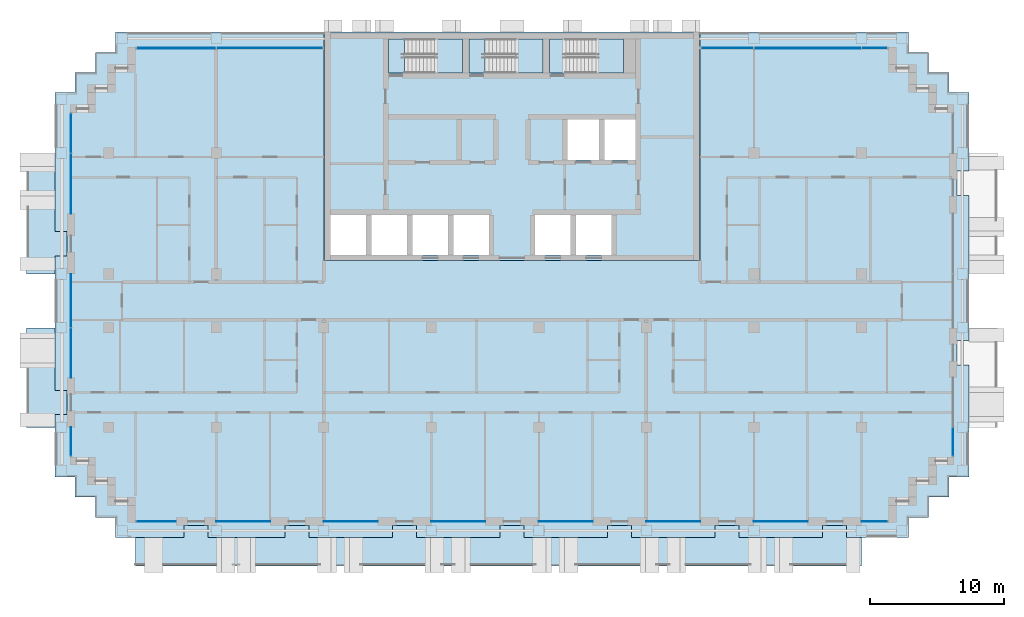
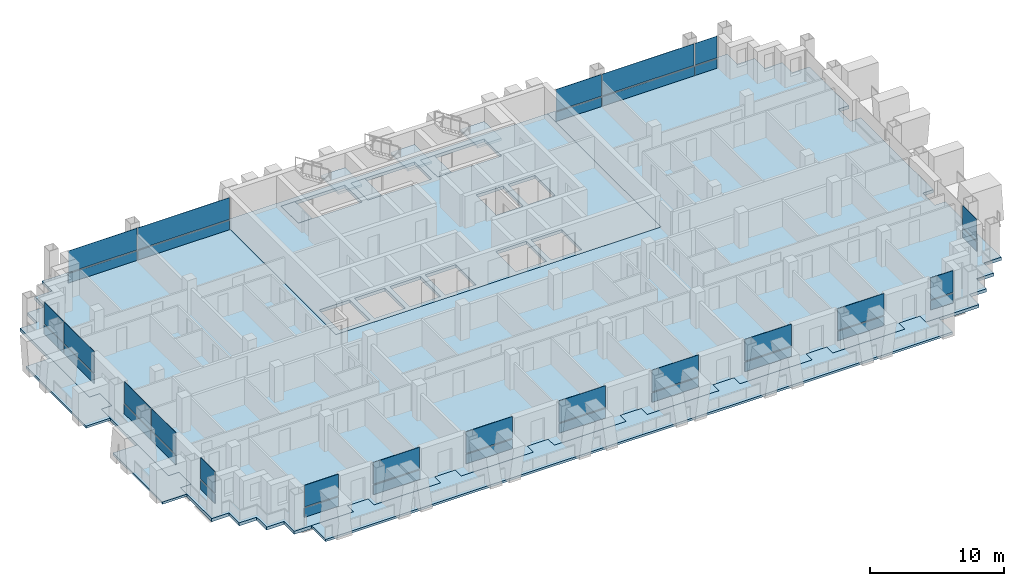
# One storey, part 6 of 18: 38 plates, 11 slabs, 17 elements without a shape of their own.
"""IFC4 building model written with IfcOpenShell, lengths in metres."""

from ifc_helpers import new_model, si_unit, direction, frame, origin, origin_2d, place, context, subcontext, project, spatial, polyline, rectangle, outline, extrude, material, layer, layer_set, type_object, element, aggregate, save


model = new_model("IFC4")

# Units and contexts
model_context = context("Model", 3, precision=1e-05, world=origin(), true_north=direction((0.0, 1.0)))
body_context = subcontext(model_context, "Body", "Model", "MODEL_VIEW")
ifc_project = project(units=[si_unit("LENGTHUNIT", "METRE"), si_unit("AREAUNIT", "SQUARE_METRE"), si_unit("VOLUMEUNIT", "CUBIC_METRE"), si_unit("PLANEANGLEUNIT", "RADIAN"), si_unit("MASSUNIT", "GRAM", prefix="KILO")], contexts=[model_context])

# Site, building, storey
site_placement = place(None, origin())
site = spatial("IfcSite", under=ifc_project, at=site_placement, CompositionType="ELEMENT")
building_placement = place(site_placement, origin())
building = spatial("IfcBuilding", under=site, at=building_placement, Name="Vidyagriha Tower", CompositionType="ELEMENT")
storey_placement = place(building_placement, frame((0.0, 0.0, 142.199951171875)))
storey = spatial("IfcBuildingStorey", under=building, at=storey_placement, Name="L37", CompositionType="ELEMENT", Elevation=142.199951171875)

# Curtain wall, plates
ifc_material_1 = material(Name="Aluminium and glass curtain wall", Category="aluminium")
curtain_wall_type = type_object("IfcCurtainWallType", Name="Dwelling skin unitised curtain wall", PredefinedType="USERDEFINED", material=ifc_material_1)
curtain_wall_1_placement = place(storey_placement, origin())
curtain_wall_1 = element("IfcCurtainWall", 1, at=curtain_wall_1_placement, inside=storey, type_object=curtain_wall_type, Name="CW1 dwelling skin", ObjectType="UNITISED", PredefinedType="USERDEFINED")
ifc_material_2 = material(Name="Glass dark ceramic-fritted spandrel", Category="glass")
ifc_layer_1 = layer(ifc_material_2, 0.0400390625)
ifc_layer_set_1 = layer_set([ifc_layer_1], Name="Glass dark ceramic-fritted spandrel")
plate_type_1 = type_object("IfcPlateType", Name="Ceramic-fritted spandrel panel", PredefinedType="CURTAIN_PANEL", material=ifc_layer_set_1)
plate_1_placement = place(storey_placement, frame((26.982421875, 18.800048828125, 0.0), z_axis=(0.0, 0.0, 1.0), x_axis=(-1.0, 0.0, 0.0)))
plate_1 = element("IfcPlate", 2, at=plate_1_placement, type_object=plate_type_1, Name="CW1 panel 1.1", PredefinedType="CURTAIN_PANEL", context=body_context, shape_type="SweptSolid", body=[
    extrude(rectangle(XDim=1.89501953125, YDim=0.0400390625, at=origin_2d()), origin(), (0.0, 0.0, 1.0), 0.85009765625),
])
plate_2_placement = place(storey_placement, frame((16.017578125, 18.800048828125, 0.0), z_axis=(0.0, 0.0, 1.0), x_axis=(-1.0, 0.0, 0.0)))
plate_2 = element("IfcPlate", 3, at=plate_2_placement, type_object=plate_type_1, Name="CW1 panel 3.1", PredefinedType="CURTAIN_PANEL", context=body_context, shape_type="SweptSolid", body=[
    extrude(rectangle(XDim=3.89501953125, YDim=0.0400390625, at=origin_2d()), origin(), (0.0, 0.0, 1.0), 0.85009765625),
])

# Curtain wall, plate
curtain_wall_2_placement = place(storey_placement, origin())
curtain_wall_2 = element("IfcCurtainWall", 4, at=curtain_wall_2_placement, inside=storey, type_object=curtain_wall_type, Name="CW1 dwelling skin", ObjectType="UNITISED", PredefinedType="USERDEFINED")
plate_3_placement = place(storey_placement, frame((-18.017578125, 18.800048828125, 0.0), z_axis=(0.0, 0.0, 1.0), x_axis=(-1.0, 0.0, 0.0)))
plate_3 = element("IfcPlate", 5, at=plate_3_placement, type_object=plate_type_1, Name="CW1 panel 1.1", PredefinedType="CURTAIN_PANEL", context=body_context, shape_type="SweptSolid", body=[
    extrude(rectangle(XDim=7.89501953125, YDim=0.0400390625, at=origin_2d()), origin(), (0.0, 0.0, 1.0), 0.85009765625),
])

# Curtain wall, plates
curtain_wall_3_placement = place(storey_placement, origin())
curtain_wall_3 = element("IfcCurtainWall", 6, at=curtain_wall_3_placement, inside=storey, type_object=curtain_wall_type, Name="CW1 dwelling skin", ObjectType="UNITISED", PredefinedType="USERDEFINED")
plate_4_placement = place(storey_placement, frame((-32.800048828125, 12.482421875, 0.0), z_axis=(0.0, 0.0, 1.0), x_axis=(0.0, -1.0, 0.0)))
plate_4 = element("IfcPlate", 7, at=plate_4_placement, type_object=plate_type_1, Name="CW1 panel 1.1", PredefinedType="CURTAIN_PANEL", context=body_context, shape_type="SweptSolid", body=[
    extrude(rectangle(XDim=2.89501953125, YDim=0.0400390625, at=origin_2d()), origin(), (0.0, 0.0, 1.0), 0.85009765625),
])
plate_5_placement = place(storey_placement, frame((-32.800048828125, 8.732421875, 0.0), z_axis=(0.0, 0.0, 1.0), x_axis=(0.0, -1.0, 0.0)))
plate_5 = element("IfcPlate", 8, at=plate_5_placement, type_object=plate_type_1, Name="CW1 panel 2.1", PredefinedType="CURTAIN_PANEL", context=body_context, shape_type="SweptSolid", body=[
    extrude(rectangle(XDim=4.465087890625, YDim=0.0400390625, at=origin_2d()), origin(), (0.0, 0.0, 1.0), 0.85009765625),
])

# Curtain wall, plate
curtain_wall_4_placement = place(storey_placement, origin())
curtain_wall_4 = element("IfcCurtainWall", 9, at=curtain_wall_4_placement, inside=storey, type_object=curtain_wall_type, Name="CW1 dwelling skin", ObjectType="UNITISED", PredefinedType="USERDEFINED")
plate_6_placement = place(storey_placement, frame((-32.800048828125, -10.465087890625, 0.0), z_axis=(0.0, 0.0, 1.0), x_axis=(0.0, -1.0, 0.0)))
plate_6 = element("IfcPlate", 10, at=plate_6_placement, type_object=plate_type_1, Name="CW1 panel 1.1", PredefinedType="CURTAIN_PANEL", context=body_context, shape_type="SweptSolid", body=[
    extrude(rectangle(XDim=2.1298828125, YDim=0.0400390625, at=origin_2d()), origin(), (0.0, 0.0, 1.0), 0.85009765625),
])

curtain_wall_5_placement = place(storey_placement, origin())
curtain_wall_5 = element("IfcCurtainWall", 11, at=curtain_wall_5_placement, inside=storey, type_object=curtain_wall_type, Name="CW1 dwelling skin", ObjectType="UNITISED", PredefinedType="USERDEFINED")
plate_7_placement = place(storey_placement, frame((-26.465087890625, -16.39990234375, 0.0)))
plate_7 = element("IfcPlate", 12, at=plate_7_placement, type_object=plate_type_1, Name="CW1 panel 1.1", PredefinedType="CURTAIN_PANEL", context=body_context, shape_type="SweptSolid", body=[
    extrude(rectangle(XDim=2.929931640625, YDim=0.0400390625, at=origin_2d()), origin(), (0.0, 0.0, 1.0), 0.85009765625),
])

curtain_wall_6_placement = place(storey_placement, origin())
curtain_wall_6 = element("IfcCurtainWall", 13, at=curtain_wall_6_placement, inside=storey, type_object=curtain_wall_type, Name="CW1 dwelling skin", ObjectType="UNITISED", PredefinedType="USERDEFINED")
plate_8_placement = place(storey_placement, frame((-12.0, -16.39990234375, 0.0)))
plate_8 = element("IfcPlate", 14, at=plate_8_placement, type_object=plate_type_1, Name="CW1 panel 1.1", PredefinedType="CURTAIN_PANEL", context=body_context, shape_type="SweptSolid", body=[
    extrude(rectangle(XDim=4.0, YDim=0.0400390625, at=origin_2d()), origin(), (0.0, 0.0, 1.0), 0.85009765625),
])

curtain_wall_7_placement = place(storey_placement, origin())
curtain_wall_7 = element("IfcCurtainWall", 15, at=curtain_wall_7_placement, inside=storey, type_object=curtain_wall_type, Name="CW1 dwelling skin", ObjectType="UNITISED", PredefinedType="USERDEFINED")
plate_9_placement = place(storey_placement, frame((4.0, -16.39990234375, 0.0)))
plate_9 = element("IfcPlate", 16, at=plate_9_placement, type_object=plate_type_1, Name="CW1 panel 1.1", PredefinedType="CURTAIN_PANEL", context=body_context, shape_type="SweptSolid", body=[
    extrude(rectangle(XDim=4.0, YDim=0.0400390625, at=origin_2d()), origin(), (0.0, 0.0, 1.0), 0.85009765625),
])

curtain_wall_8_placement = place(storey_placement, origin())
curtain_wall_8 = element("IfcCurtainWall", 17, at=curtain_wall_8_placement, inside=storey, type_object=curtain_wall_type, Name="CW1 dwelling skin", ObjectType="UNITISED", PredefinedType="USERDEFINED")
plate_10_placement = place(storey_placement, frame((20.0, -16.39990234375, 0.0)))
plate_10 = element("IfcPlate", 18, at=plate_10_placement, type_object=plate_type_1, Name="CW1 panel 1.1", PredefinedType="CURTAIN_PANEL", context=body_context, shape_type="SweptSolid", body=[
    extrude(rectangle(XDim=4.0, YDim=0.0400390625, at=origin_2d()), origin(), (0.0, 0.0, 1.0), 0.85009765625),
])

curtain_wall_9_placement = place(storey_placement, origin())
curtain_wall_9 = element("IfcCurtainWall", 19, at=curtain_wall_9_placement, inside=storey, type_object=curtain_wall_type, Name="CW1 dwelling skin", ObjectType="UNITISED", PredefinedType="USERDEFINED")
plate_11_placement = place(storey_placement, frame((26.965087890625, -16.39990234375, 0.0)))
plate_11 = element("IfcPlate", 20, at=plate_11_placement, type_object=plate_type_1, Name="CW1 panel 1.1", PredefinedType="CURTAIN_PANEL", context=body_context, shape_type="SweptSolid", body=[
    extrude(rectangle(XDim=1.929931640625, YDim=0.0400390625, at=origin_2d()), origin(), (0.0, 0.0, 1.0), 0.85009765625),
])

curtain_wall_10_placement = place(storey_placement, origin())
curtain_wall_10 = element("IfcCurtainWall", 21, at=curtain_wall_10_placement, inside=storey, type_object=curtain_wall_type, Name="CW1 dwelling skin", ObjectType="UNITISED", PredefinedType="USERDEFINED")
plate_12_placement = place(storey_placement, frame((32.800048828125, -10.482421875, 0.0), z_axis=(0.0, 0.0, 1.0), x_axis=(0.0, 1.0, 0.0)))
plate_12 = element("IfcPlate", 22, at=plate_12_placement, type_object=plate_type_1, Name="CW1 panel 1.1", PredefinedType="CURTAIN_PANEL", context=body_context, shape_type="SweptSolid", body=[
    extrude(rectangle(XDim=2.094970703125, YDim=0.0400390625, at=origin_2d()), origin(), (0.0, 0.0, 1.0), 0.85009765625),
])

# Slab
ifc_material_3 = material(Name="Concrete C60/75", Category="concrete")
ifc_layer_2 = layer(ifc_material_3, 0.280029296875)
ifc_layer_set_2 = layer_set([ifc_layer_2], Name="Concrete C60/75")
slab_type_1 = type_object("IfcSlabType", Name="Core floor slab 280 mm", PredefinedType="FLOOR", material=ifc_layer_set_2)
slab_1_placement = place(storey_placement, frame((0.0, 0.0, -0.280029296875)))
element("IfcSlab", 23, at=slab_1_placement, inside=storey, type_object=slab_type_1, Name="L37 core floor 1", PredefinedType="FLOOR", context=body_context, shape_type="SweptSolid", body=[
    extrude(outline(polyline([(-14.0, 3.0), (-14.0, 20.0), (14.0, 20.0), (14.0, 3.0), (-14.0, 3.0)]), holes=[polyline([(9.199951171875, 13.5), (6.86669921875, 13.5), (6.86669921875, 10.5), (9.199951171875, 10.5), (9.199951171875, 13.5)]), polyline([(4.0, 19.5), (2.800048828125, 19.5), (2.800048828125, 16.949951171875), (4.0, 16.949951171875), (8.300048828125, 16.949951171875), (8.300048828125, 19.5), (4.0, 19.5)]), polyline([(7.4111328125, 6.39990234375), (4.7666015625, 6.39990234375), (4.7666015625, 3.39990234375), (7.4111328125, 3.39990234375), (7.4111328125, 6.39990234375)]), polyline([(6.466796875, 13.5), (4.13330078125, 13.5), (4.13330078125, 10.5), (6.466796875, 10.5), (6.466796875, 13.5)]), polyline([(1.72216796875, 6.39990234375), (1.72216796875, 3.39990234375), (4.36669921875, 3.39990234375), (4.36669921875, 6.39990234375), (1.72216796875, 6.39990234375)]), polyline([(-2.0, 16.949951171875), (2.300048828125, 16.949951171875), (2.300048828125, 19.5), (-2.0, 19.5), (-3.199951171875, 19.5), (-3.199951171875, 16.949951171875), (-2.0, 16.949951171875)]), polyline([(-1.72216796875, 6.39990234375), (-4.36669921875, 6.39990234375), (-4.36669921875, 3.39990234375), (-1.72216796875, 3.39990234375), (-1.72216796875, 6.39990234375)]), polyline([(-8.0, 19.5), (-9.199951171875, 19.5), (-9.199951171875, 16.949951171875), (-8.0, 16.949951171875), (-3.699951171875, 16.949951171875), (-3.699951171875, 19.5), (-8.0, 19.5)]), polyline([(-4.7666015625, 6.39990234375), (-7.4111328125, 6.39990234375), (-7.4111328125, 3.39990234375), (-4.7666015625, 3.39990234375), (-4.7666015625, 6.39990234375)]), polyline([(-7.81103515625, 6.39990234375), (-10.45556640625, 6.39990234375), (-10.45556640625, 3.39990234375), (-7.81103515625, 3.39990234375), (-7.81103515625, 6.39990234375)]), polyline([(-13.5, 6.39990234375), (-13.5, 3.39990234375), (-10.855712890625, 3.39990234375), (-10.855712890625, 6.39990234375), (-13.5, 6.39990234375)])]), origin(), (0.0, 0.0, 1.0), 0.280029296875),
])

# Plate
ifc_material_4 = material(Name="Glass dark ceramic-fritted", Category="glass")
ifc_layer_3 = layer(ifc_material_4, 0.028076171875)
ifc_layer_set_3 = layer_set([ifc_layer_3], Name="Glass dark ceramic-fritted")
plate_type_2 = type_object("IfcPlateType", Name="Dark ceramic-fritted vision glass panel", PredefinedType="CURTAIN_PANEL", material=ifc_layer_set_3)
plate_13_placement = place(storey_placement, frame((26.982421875, 18.800048828125, 0.9501953125), z_axis=(0.0, 0.0, 1.0), x_axis=(-1.0, 0.0, 0.0)))
plate_13 = element("IfcPlate", 24, at=plate_13_placement, type_object=plate_type_2, Name="CW1 panel 1.2", PredefinedType="CURTAIN_PANEL", context=body_context, shape_type="SweptSolid", body=[
    extrude(rectangle(XDim=1.89501953125, YDim=0.028076171875, at=origin_2d()), origin(), (0.0, 0.0, 1.0), 1.969970703125),
])

plate_14_placement = place(storey_placement, frame((22.0, 18.800048828125, 0.9501953125), z_axis=(0.0, 0.0, 1.0), x_axis=(-1.0, 0.0, 0.0)))
plate_14 = element("IfcPlate", 25, at=plate_14_placement, type_object=plate_type_2, Name="CW1 panel 2.2", PredefinedType="CURTAIN_PANEL", context=body_context, shape_type="SweptSolid", body=[
    extrude(rectangle(XDim=7.929931640625, YDim=0.028076171875, at=origin_2d()), origin(), (0.0, 0.0, 1.0), 1.969970703125),
])

plate_15_placement = place(storey_placement, frame((16.017578125, 18.800048828125, 0.9501953125), z_axis=(0.0, 0.0, 1.0), x_axis=(-1.0, 0.0, 0.0)))
plate_15 = element("IfcPlate", 26, at=plate_15_placement, type_object=plate_type_2, Name="CW1 panel 3.2", PredefinedType="CURTAIN_PANEL", context=body_context, shape_type="SweptSolid", body=[
    extrude(rectangle(XDim=3.89501953125, YDim=0.028076171875, at=origin_2d()), origin(), (0.0, 0.0, 1.0), 1.969970703125),
])

plate_16_placement = place(storey_placement, frame((-18.017578125, 18.800048828125, 0.9501953125), z_axis=(0.0, 0.0, 1.0), x_axis=(-1.0, 0.0, 0.0)))
plate_16 = element("IfcPlate", 27, at=plate_16_placement, type_object=plate_type_2, Name="CW1 panel 1.2", PredefinedType="CURTAIN_PANEL", context=body_context, shape_type="SweptSolid", body=[
    extrude(rectangle(XDim=7.89501953125, YDim=0.028076171875, at=origin_2d()), origin(), (0.0, 0.0, 1.0), 1.969970703125),
])

plate_17_placement = place(storey_placement, frame((-24.982421875, 18.800048828125, 0.9501953125), z_axis=(0.0, 0.0, 1.0), x_axis=(-1.0, 0.0, 0.0)))
plate_17 = element("IfcPlate", 28, at=plate_17_placement, type_object=plate_type_2, Name="CW1 panel 2.2", PredefinedType="CURTAIN_PANEL", context=body_context, shape_type="SweptSolid", body=[
    extrude(rectangle(XDim=5.89501953125, YDim=0.028076171875, at=origin_2d()), origin(), (0.0, 0.0, 1.0), 1.969970703125),
])

plate_18_placement = place(storey_placement, frame((-32.800048828125, 12.482421875, 0.9501953125), z_axis=(0.0, 0.0, 1.0), x_axis=(0.0, -1.0, 0.0)))
plate_18 = element("IfcPlate", 29, at=plate_18_placement, type_object=plate_type_2, Name="CW1 panel 1.2", PredefinedType="CURTAIN_PANEL", context=body_context, shape_type="SweptSolid", body=[
    extrude(rectangle(XDim=2.89501953125, YDim=0.028076171875, at=origin_2d()), origin(), (0.0, 0.0, 1.0), 1.969970703125),
])

plate_19_placement = place(storey_placement, frame((-32.800048828125, 8.732421875, 0.9501953125), z_axis=(0.0, 0.0, 1.0), x_axis=(0.0, -1.0, 0.0)))
plate_19 = element("IfcPlate", 30, at=plate_19_placement, type_object=plate_type_2, Name="CW1 panel 2.2", PredefinedType="CURTAIN_PANEL", context=body_context, shape_type="SweptSolid", body=[
    extrude(rectangle(XDim=4.465087890625, YDim=0.028076171875, at=origin_2d()), origin(), (0.0, 0.0, 1.0), 1.969970703125),
])

aggregate(curtain_wall_3, [plate_4, plate_18, plate_5, plate_19])

# Curtain wall, plates
curtain_wall_11_placement = place(storey_placement, origin())
curtain_wall_11 = element("IfcCurtainWall", 31, at=curtain_wall_11_placement, inside=storey, type_object=curtain_wall_type, Name="CW1 dwelling skin", ObjectType="UNITISED", PredefinedType="USERDEFINED")
plate_20_placement = place(storey_placement, frame((-32.800048828125, 0.017578125, 0.9501953125), z_axis=(0.0, 0.0, 1.0), x_axis=(0.0, -1.0, 0.0)))
plate_20 = element("IfcPlate", 32, at=plate_20_placement, type_object=plate_type_2, Name="CW1 panel 1.2", PredefinedType="CURTAIN_PANEL", context=body_context, shape_type="SweptSolid", body=[
    extrude(rectangle(XDim=3.965087890625, YDim=0.028076171875, at=origin_2d()), origin(), (0.0, 0.0, 1.0), 1.969970703125),
])
plate_21_placement = place(storey_placement, frame((-32.800048828125, -3.867431640625, 0.9501953125), z_axis=(0.0, 0.0, 1.0), x_axis=(0.0, -1.0, 0.0)))
plate_21 = element("IfcPlate", 33, at=plate_21_placement, type_object=plate_type_2, Name="CW1 panel 2.2", PredefinedType="CURTAIN_PANEL", context=body_context, shape_type="SweptSolid", body=[
    extrude(rectangle(XDim=3.6650390625, YDim=0.028076171875, at=origin_2d()), origin(), (0.0, 0.0, 1.0), 1.969970703125),
])

# Plate
plate_22_placement = place(storey_placement, frame((-32.800048828125, -10.465087890625, 0.9501953125), z_axis=(0.0, 0.0, 1.0), x_axis=(0.0, -1.0, 0.0)))
plate_22 = element("IfcPlate", 34, at=plate_22_placement, type_object=plate_type_2, Name="CW1 panel 1.2", PredefinedType="CURTAIN_PANEL", context=body_context, shape_type="SweptSolid", body=[
    extrude(rectangle(XDim=2.1298828125, YDim=0.028076171875, at=origin_2d()), origin(), (0.0, 0.0, 1.0), 1.969970703125),
])

aggregate(curtain_wall_4, [plate_6, plate_22])

plate_23_placement = place(storey_placement, frame((-26.465087890625, -16.39990234375, 0.9501953125)))
plate_23 = element("IfcPlate", 35, at=plate_23_placement, type_object=plate_type_2, Name="CW1 panel 1.2", PredefinedType="CURTAIN_PANEL", context=body_context, shape_type="SweptSolid", body=[
    extrude(rectangle(XDim=2.929931640625, YDim=0.028076171875, at=origin_2d()), origin(), (0.0, 0.0, 1.0), 1.969970703125),
])

aggregate(curtain_wall_5, [plate_7, plate_23])

# Curtain wall, plate
curtain_wall_12_placement = place(storey_placement, origin())
curtain_wall_12 = element("IfcCurtainWall", 36, at=curtain_wall_12_placement, inside=storey, type_object=curtain_wall_type, Name="CW1 dwelling skin", ObjectType="UNITISED", PredefinedType="USERDEFINED")
plate_24_placement = place(storey_placement, frame((-20.0, -16.39990234375, 0.9501953125)))
plate_24 = element("IfcPlate", 37, at=plate_24_placement, type_object=plate_type_2, Name="CW1 panel 1.2", PredefinedType="CURTAIN_PANEL", context=body_context, shape_type="SweptSolid", body=[
    extrude(rectangle(XDim=4.0, YDim=0.028076171875, at=origin_2d()), origin(), (0.0, 0.0, 1.0), 1.969970703125),
])

# Plate
plate_25_placement = place(storey_placement, frame((-12.0, -16.39990234375, 0.9501953125)))
plate_25 = element("IfcPlate", 38, at=plate_25_placement, type_object=plate_type_2, Name="CW1 panel 1.2", PredefinedType="CURTAIN_PANEL", context=body_context, shape_type="SweptSolid", body=[
    extrude(rectangle(XDim=4.0, YDim=0.028076171875, at=origin_2d()), origin(), (0.0, 0.0, 1.0), 1.969970703125),
])

aggregate(curtain_wall_6, [plate_8, plate_25])

# Curtain wall, plate
curtain_wall_13_placement = place(storey_placement, origin())
curtain_wall_13 = element("IfcCurtainWall", 39, at=curtain_wall_13_placement, inside=storey, type_object=curtain_wall_type, Name="CW1 dwelling skin", ObjectType="UNITISED", PredefinedType="USERDEFINED")
plate_26_placement = place(storey_placement, frame((-4.0, -16.39990234375, 0.9501953125)))
plate_26 = element("IfcPlate", 40, at=plate_26_placement, type_object=plate_type_2, Name="CW1 panel 1.2", PredefinedType="CURTAIN_PANEL", context=body_context, shape_type="SweptSolid", body=[
    extrude(rectangle(XDim=4.0, YDim=0.028076171875, at=origin_2d()), origin(), (0.0, 0.0, 1.0), 1.969970703125),
])

# Plate
plate_27_placement = place(storey_placement, frame((4.0, -16.39990234375, 0.9501953125)))
plate_27 = element("IfcPlate", 41, at=plate_27_placement, type_object=plate_type_2, Name="CW1 panel 1.2", PredefinedType="CURTAIN_PANEL", context=body_context, shape_type="SweptSolid", body=[
    extrude(rectangle(XDim=4.0, YDim=0.028076171875, at=origin_2d()), origin(), (0.0, 0.0, 1.0), 1.969970703125),
])

aggregate(curtain_wall_7, [plate_9, plate_27])

# Curtain wall, plate
curtain_wall_14_placement = place(storey_placement, origin())
curtain_wall_14 = element("IfcCurtainWall", 42, at=curtain_wall_14_placement, inside=storey, type_object=curtain_wall_type, Name="CW1 dwelling skin", ObjectType="UNITISED", PredefinedType="USERDEFINED")
plate_28_placement = place(storey_placement, frame((12.0, -16.39990234375, 0.9501953125)))
plate_28 = element("IfcPlate", 43, at=plate_28_placement, type_object=plate_type_2, Name="CW1 panel 1.2", PredefinedType="CURTAIN_PANEL", context=body_context, shape_type="SweptSolid", body=[
    extrude(rectangle(XDim=4.0, YDim=0.028076171875, at=origin_2d()), origin(), (0.0, 0.0, 1.0), 1.969970703125),
])

# Plate
plate_29_placement = place(storey_placement, frame((20.0, -16.39990234375, 0.9501953125)))
plate_29 = element("IfcPlate", 44, at=plate_29_placement, type_object=plate_type_2, Name="CW1 panel 1.2", PredefinedType="CURTAIN_PANEL", context=body_context, shape_type="SweptSolid", body=[
    extrude(rectangle(XDim=4.0, YDim=0.028076171875, at=origin_2d()), origin(), (0.0, 0.0, 1.0), 1.969970703125),
])

aggregate(curtain_wall_8, [plate_10, plate_29])

plate_30_placement = place(storey_placement, frame((26.965087890625, -16.39990234375, 0.9501953125)))
plate_30 = element("IfcPlate", 45, at=plate_30_placement, type_object=plate_type_2, Name="CW1 panel 1.2", PredefinedType="CURTAIN_PANEL", context=body_context, shape_type="SweptSolid", body=[
    extrude(rectangle(XDim=1.929931640625, YDim=0.028076171875, at=origin_2d()), origin(), (0.0, 0.0, 1.0), 1.969970703125),
])

aggregate(curtain_wall_9, [plate_11, plate_30])

plate_31_placement = place(storey_placement, frame((32.800048828125, -10.482421875, 0.9501953125), z_axis=(0.0, 0.0, 1.0), x_axis=(0.0, 1.0, 0.0)))
plate_31 = element("IfcPlate", 46, at=plate_31_placement, type_object=plate_type_2, Name="CW1 panel 1.2", PredefinedType="CURTAIN_PANEL", context=body_context, shape_type="SweptSolid", body=[
    extrude(rectangle(XDim=2.094970703125, YDim=0.028076171875, at=origin_2d()), origin(), (0.0, 0.0, 1.0), 1.969970703125),
])

aggregate(curtain_wall_10, [plate_12, plate_31])

# Slabs
ifc_material_5 = material(Name="Concrete C40/50", Category="concrete")
ifc_layer_4 = layer(ifc_material_5, 0.280029296875)
ifc_layer_set_4 = layer_set([ifc_layer_4], Name="Concrete C40/50")
slab_type_2 = type_object("IfcSlabType", Name="Exit stair floor landing 280 mm", PredefinedType="LANDING", material=ifc_layer_set_4)
slab_2_placement = place(storey_placement, frame((0.0, 0.0, -0.280029296875)))
element("IfcSlab", 47, at=slab_2_placement, inside=storey, type_object=slab_type_2, Name="ST1 floor landing L37", PredefinedType="LANDING", context=body_context, shape_type="SweptSolid", body=[
    extrude(outline(polyline([(-9.199951171875, 16.949951171875), (-8.0, 16.949951171875), (-8.0, 19.5), (-9.199951171875, 19.5), (-9.199951171875, 16.949951171875)])), origin(), (0.0, 0.0, 1.0), 0.280029296875),
])
slab_3_placement = place(storey_placement, frame((0.0, 0.0, -0.280029296875)))
element("IfcSlab", 48, at=slab_3_placement, inside=storey, type_object=slab_type_2, Name="ST2 floor landing L37", PredefinedType="LANDING", context=body_context, shape_type="SweptSolid", body=[
    extrude(outline(polyline([(-3.199951171875, 16.949951171875), (-2.0, 16.949951171875), (-2.0, 19.5), (-3.199951171875, 19.5), (-3.199951171875, 16.949951171875)])), origin(), (0.0, 0.0, 1.0), 0.280029296875),
])
slab_4_placement = place(storey_placement, frame((0.0, 0.0, -0.280029296875)))
element("IfcSlab", 49, at=slab_4_placement, inside=storey, type_object=slab_type_2, Name="ST3 floor landing L37", PredefinedType="LANDING", context=body_context, shape_type="SweptSolid", body=[
    extrude(outline(polyline([(2.800048828125, 16.949951171875), (4.0, 16.949951171875), (4.0, 19.5), (2.800048828125, 19.5), (2.800048828125, 16.949951171875)])), origin(), (0.0, 0.0, 1.0), 0.280029296875),
])

# Stair, slab
ifc_material_6 = material(Name="Concrete C40/50", Category="concrete")
stair_type = type_object("IfcStairType", Name="Exit stair, half-turn, precast flights", PredefinedType="HALF_TURN_STAIR", material=ifc_material_6)
stair_1_placement = place(storey_placement, origin())
stair_1 = element("IfcStair", 50, at=stair_1_placement, inside=storey, type_object=stair_type, Name="L37 Exit Stair ST1", PredefinedType="HALF_TURN_STAIR")
ifc_material_7 = material(Name="Concrete C40/50", Category="concrete")
ifc_layer_5 = layer(ifc_material_7, 0.199951171875)
ifc_layer_set_5 = layer_set([ifc_layer_5], Name="Concrete C40/50")
slab_type_3 = type_object("IfcSlabType", Name="Exit stair landing 200 mm", PredefinedType="LANDING", material=ifc_layer_set_5)
slab_5_placement = place(storey_placement, frame((0.0, 0.0, 1.400146484375)))
slab_5 = element("IfcSlab", 51, at=slab_5_placement, type_object=slab_type_3, Name="ST1 landing 1", PredefinedType="LANDING", context=body_context, shape_type="SweptSolid", body=[
    extrude(outline(polyline([(-5.760009765625, 16.949951171875), (-3.699951171875, 16.949951171875), (-3.699951171875, 19.5), (-5.760009765625, 19.5), (-5.760009765625, 16.949951171875)])), origin(), (0.0, 0.0, 1.0), 0.199951171875),
])
aggregate(stair_1, [slab_5])

stair_2_placement = place(storey_placement, origin())
stair_2 = element("IfcStair", 52, at=stair_2_placement, inside=storey, type_object=stair_type, Name="L37 Exit Stair ST2", PredefinedType="HALF_TURN_STAIR")
slab_6_placement = place(storey_placement, frame((0.0, 0.0, 1.400146484375)))
slab_6 = element("IfcSlab", 53, at=slab_6_placement, type_object=slab_type_3, Name="ST2 landing 1", PredefinedType="LANDING", context=body_context, shape_type="SweptSolid", body=[
    extrude(outline(polyline([(0.239990234375, 16.949951171875), (2.300048828125, 16.949951171875), (2.300048828125, 19.5), (0.239990234375, 19.5), (0.239990234375, 16.949951171875)])), origin(), (0.0, 0.0, 1.0), 0.199951171875),
])
aggregate(stair_2, [slab_6])

stair_3_placement = place(storey_placement, origin())
stair_3 = element("IfcStair", 54, at=stair_3_placement, inside=storey, type_object=stair_type, Name="L37 Exit Stair ST3", PredefinedType="HALF_TURN_STAIR")
slab_7_placement = place(storey_placement, frame((0.0, 0.0, 1.400146484375)))
slab_7 = element("IfcSlab", 55, at=slab_7_placement, type_object=slab_type_3, Name="ST3 landing 1", PredefinedType="LANDING", context=body_context, shape_type="SweptSolid", body=[
    extrude(outline(polyline([(6.239990234375, 16.949951171875), (8.300048828125, 16.949951171875), (8.300048828125, 19.5), (6.239990234375, 19.5), (6.239990234375, 16.949951171875)])), origin(), (0.0, 0.0, 1.0), 0.199951171875),
])
aggregate(stair_3, [slab_7])

# Plate
ifc_material_8 = material(Name="Aluminium black anodised", Category="aluminium")
ifc_layer_6 = layer(ifc_material_8, 0.06005859375)
ifc_layer_set_6 = layer_set([ifc_layer_6], Name="Aluminium black anodised")
plate_type_3 = type_object("IfcPlateType", Name="Operable black-metal vent panel", PredefinedType="CURTAIN_PANEL", material=ifc_layer_set_6)
plate_32_placement = place(storey_placement, frame((22.0, 18.800048828125, 0.0), z_axis=(0.0, 0.0, 1.0), x_axis=(-1.0, 0.0, 0.0)))
plate_32 = element("IfcPlate", 56, at=plate_32_placement, type_object=plate_type_3, Name="CW1 panel 2.1", PredefinedType="CURTAIN_PANEL", context=body_context, shape_type="SweptSolid", body=[
    extrude(rectangle(XDim=7.929931640625, YDim=0.06005859375, at=origin_2d()), origin(), (0.0, 0.0, 1.0), 0.85009765625),
])

aggregate(curtain_wall_1, [plate_1, plate_13, plate_32, plate_14, plate_2, plate_15])

plate_33_placement = place(storey_placement, frame((-24.982421875, 18.800048828125, 0.0), z_axis=(0.0, 0.0, 1.0), x_axis=(-1.0, 0.0, 0.0)))
plate_33 = element("IfcPlate", 57, at=plate_33_placement, type_object=plate_type_3, Name="CW1 panel 2.1", PredefinedType="CURTAIN_PANEL", context=body_context, shape_type="SweptSolid", body=[
    extrude(rectangle(XDim=5.89501953125, YDim=0.06005859375, at=origin_2d()), origin(), (0.0, 0.0, 1.0), 0.85009765625),
])

aggregate(curtain_wall_2, [plate_3, plate_16, plate_33, plate_17])

plate_34_placement = place(storey_placement, frame((-32.800048828125, 0.017578125, 0.0), z_axis=(0.0, 0.0, 1.0), x_axis=(0.0, -1.0, 0.0)))
plate_34 = element("IfcPlate", 58, at=plate_34_placement, type_object=plate_type_3, Name="CW1 panel 1.1", PredefinedType="CURTAIN_PANEL", context=body_context, shape_type="SweptSolid", body=[
    extrude(rectangle(XDim=3.965087890625, YDim=0.06005859375, at=origin_2d()), origin(), (0.0, 0.0, 1.0), 0.85009765625),
])

plate_35_placement = place(storey_placement, frame((-32.800048828125, -3.867431640625, 0.0), z_axis=(0.0, 0.0, 1.0), x_axis=(0.0, -1.0, 0.0)))
plate_35 = element("IfcPlate", 59, at=plate_35_placement, type_object=plate_type_3, Name="CW1 panel 2.1", PredefinedType="CURTAIN_PANEL", context=body_context, shape_type="SweptSolid", body=[
    extrude(rectangle(XDim=3.6650390625, YDim=0.06005859375, at=origin_2d()), origin(), (0.0, 0.0, 1.0), 0.85009765625),
])

aggregate(curtain_wall_11, [plate_34, plate_20, plate_35, plate_21])

plate_36_placement = place(storey_placement, frame((-20.0, -16.39990234375, 0.0)))
plate_36 = element("IfcPlate", 60, at=plate_36_placement, type_object=plate_type_3, Name="CW1 panel 1.1", PredefinedType="CURTAIN_PANEL", context=body_context, shape_type="SweptSolid", body=[
    extrude(rectangle(XDim=4.0, YDim=0.06005859375, at=origin_2d()), origin(), (0.0, 0.0, 1.0), 0.85009765625),
])

aggregate(curtain_wall_12, [plate_36, plate_24])

plate_37_placement = place(storey_placement, frame((-4.0, -16.39990234375, 0.0)))
plate_37 = element("IfcPlate", 61, at=plate_37_placement, type_object=plate_type_3, Name="CW1 panel 1.1", PredefinedType="CURTAIN_PANEL", context=body_context, shape_type="SweptSolid", body=[
    extrude(rectangle(XDim=4.0, YDim=0.06005859375, at=origin_2d()), origin(), (0.0, 0.0, 1.0), 0.85009765625),
])

aggregate(curtain_wall_13, [plate_37, plate_26])

plate_38_placement = place(storey_placement, frame((12.0, -16.39990234375, 0.0)))
plate_38 = element("IfcPlate", 62, at=plate_38_placement, type_object=plate_type_3, Name="CW1 panel 1.1", PredefinedType="CURTAIN_PANEL", context=body_context, shape_type="SweptSolid", body=[
    extrude(rectangle(XDim=4.0, YDim=0.06005859375, at=origin_2d()), origin(), (0.0, 0.0, 1.0), 0.85009765625),
])

aggregate(curtain_wall_14, [plate_38, plate_28])

# Slabs
ifc_material_9 = material(Name="Concrete C50/60", Category="concrete")
ifc_layer_7 = layer(ifc_material_9, 0.280029296875)
ifc_layer_set_7 = layer_set([ifc_layer_7], Name="Concrete C50/60")
slab_type_4 = type_object("IfcSlabType", Name="Post-tensioned flat plate 280", PredefinedType="FLOOR", material=ifc_layer_set_7)
slab_8_placement = place(storey_placement, frame((0.0, 0.0, -0.280029296875)))
element("IfcSlab", 63, at=slab_8_placement, inside=storey, type_object=slab_type_4, Name="st-slab-L37-1", PredefinedType="FLOOR", context=body_context, shape_type="SweptSolid", body=[
    extrude(outline(polyline([(32.5, -14.60009765625), (31.0, -14.60009765625), (31.0, -16.10009765625), (29.5, -16.10009765625), (29.5, -17.60009765625), (24.89990234375, -17.60009765625), (24.89990234375, -16.699951171875), (23.10009765625, -16.699951171875), (23.10009765625, -17.60009765625), (16.89990234375, -17.60009765625), (16.89990234375, -16.699951171875), (15.10009765625, -16.699951171875), (15.10009765625, -17.60009765625), (8.89990234375, -17.60009765625), (8.89990234375, -16.699951171875), (7.10009765625, -16.699951171875), (7.10009765625, -17.60009765625), (0.89990234375, -17.60009765625), (0.89990234375, -16.699951171875), (-0.89990234375, -16.699951171875), (-0.89990234375, -17.60009765625), (-7.10009765625, -17.60009765625), (-7.10009765625, -16.699951171875), (-8.89990234375, -16.699951171875), (-8.89990234375, -17.60009765625), (-15.10009765625, -17.60009765625), (-15.10009765625, -16.699951171875), (-16.89990234375, -16.699951171875), (-16.89990234375, -17.60009765625), (-22.60009765625, -17.60009765625), (-22.60009765625, -16.699951171875), (-24.39990234375, -16.699951171875), (-24.39990234375, -17.60009765625), (-29.5, -17.60009765625), (-29.5, -16.10009765625), (-31.0, -16.10009765625), (-31.0, -14.60009765625), (-32.5, -14.60009765625), (-32.5, -13.10009765625), (-34.0, -13.10009765625), (-34.0, -8.449951171875), (-33.10009765625, -8.449951171875), (-33.10009765625, -6.64990234375), (-34.0, -6.64990234375), (-34.0, 3.35009765625), (-33.10009765625, 3.35009765625), (-33.10009765625, 5.14990234375), (-34.0, 5.14990234375), (-34.0, 15.5), (-32.5, 15.5), (-32.5, 17.0), (-31.0, 17.0), (-31.0, 18.5), (-29.5, 18.5), (-29.5, 20.0), (-14.0, 20.0), (-14.0, 3.0), (14.0, 3.0), (14.0, 20.0), (29.5, 20.0), (29.5, 18.5), (31.0, 18.5), (31.0, 17.0), (32.5, 17.0), (32.5, 15.5), (34.0, 15.5), (34.0, 9.64990234375), (33.10009765625, 9.64990234375), (33.10009765625, 7.85009765625), (34.0, 7.85009765625), (34.0, -2.949951171875), (33.10009765625, -2.949951171875), (33.10009765625, -4.75), (34.0, -4.75), (34.0, -13.10009765625), (32.5, -13.10009765625), (32.5, -14.60009765625)])), origin(), (0.0, 0.0, 1.0), 0.280029296875),
])
ifc_material_10 = material(Name="Precast concrete C40/50", Category="concrete")
ifc_layer_8 = layer(ifc_material_10, 0.199951171875)
ifc_layer_set_8 = layer_set([ifc_layer_8], Name="Precast concrete C40/50")
slab_type_5 = type_object("IfcSlabType", Name="Precast balcony slab 200", PredefinedType="USERDEFINED", material=ifc_layer_set_8)
slab_9_placement = place(storey_placement, frame((0.0, 0.0, -0.199951171875)))
element("IfcSlab", 64, at=slab_9_placement, inside=storey, type_object=slab_type_5, Name="Balcony slab L37 R16.1-1", ObjectType="BALCONY", PredefinedType="USERDEFINED", context=body_context, shape_type="SweptSolid", body=[
    extrude(outline(polyline([(-33.10009765625, 3.35009765625), (-33.10009765625, 5.14990234375), (-34.0, 5.14990234375), (-34.0, 11.0), (-36.10009765625, 11.0), (-36.10009765625, 2.0), (-34.0, 2.0), (-34.0, 3.35009765625), (-33.10009765625, 3.35009765625)])), origin(), (0.0, 0.0, 1.0), 0.199951171875),
])
slab_10_placement = place(storey_placement, frame((0.0, 0.0, -0.199951171875)))
element("IfcSlab", 65, at=slab_10_placement, inside=storey, type_object=slab_type_5, Name="Balcony slab L37 R16.2-2", ObjectType="BALCONY", PredefinedType="USERDEFINED", context=body_context, shape_type="SweptSolid", body=[
    extrude(outline(polyline([(-33.10009765625, -8.449951171875), (-33.10009765625, -6.64990234375), (-34.0, -6.64990234375), (-34.0, -2.0), (-36.10009765625, -2.0), (-36.10009765625, -9.39990234375), (-34.0, -9.39990234375), (-34.0, -8.449951171875), (-33.10009765625, -8.449951171875)])), origin(), (0.0, 0.0, 1.0), 0.199951171875),
])
slab_11_placement = place(storey_placement, frame((0.0, 0.0, -0.199951171875)))
element("IfcSlab", 66, at=slab_11_placement, inside=storey, type_object=slab_type_5, Name="Balcony slab L37 R23.1-7", ObjectType="BALCONY", PredefinedType="USERDEFINED", context=body_context, shape_type="SweptSolid", body=[
    extrude(outline(polyline([(-22.60009765625, -16.699951171875), (-24.39990234375, -16.699951171875), (-24.39990234375, -17.60009765625), (-28.0, -17.60009765625), (-28.0, -19.699951171875), (26.0, -19.699951171875), (26.0, -17.60009765625), (24.89990234375, -17.60009765625), (24.89990234375, -16.699951171875), (23.10009765625, -16.699951171875), (23.10009765625, -17.60009765625), (16.89990234375, -17.60009765625), (16.89990234375, -16.699951171875), (15.10009765625, -16.699951171875), (15.10009765625, -17.60009765625), (8.89990234375, -17.60009765625), (8.89990234375, -16.699951171875), (7.10009765625, -16.699951171875), (7.10009765625, -17.60009765625), (0.89990234375, -17.60009765625), (0.89990234375, -16.699951171875), (-0.89990234375, -16.699951171875), (-0.89990234375, -17.60009765625), (-7.10009765625, -17.60009765625), (-7.10009765625, -16.699951171875), (-8.89990234375, -16.699951171875), (-8.89990234375, -17.60009765625), (-15.10009765625, -17.60009765625), (-15.10009765625, -16.699951171875), (-16.89990234375, -16.699951171875), (-16.89990234375, -17.60009765625), (-22.60009765625, -17.60009765625), (-22.60009765625, -16.699951171875)])), origin(), (0.0, 0.0, 1.0), 0.199951171875),
])

save(model, "model.ifc")
